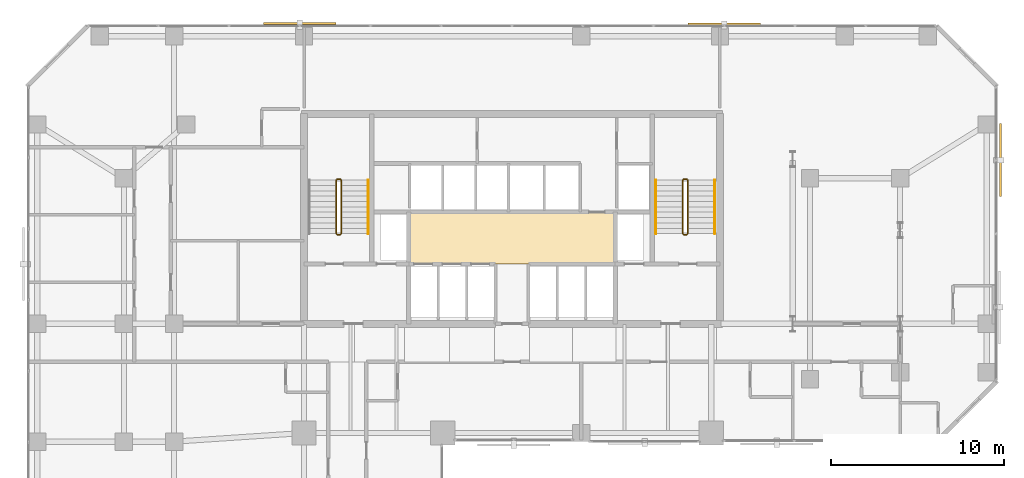
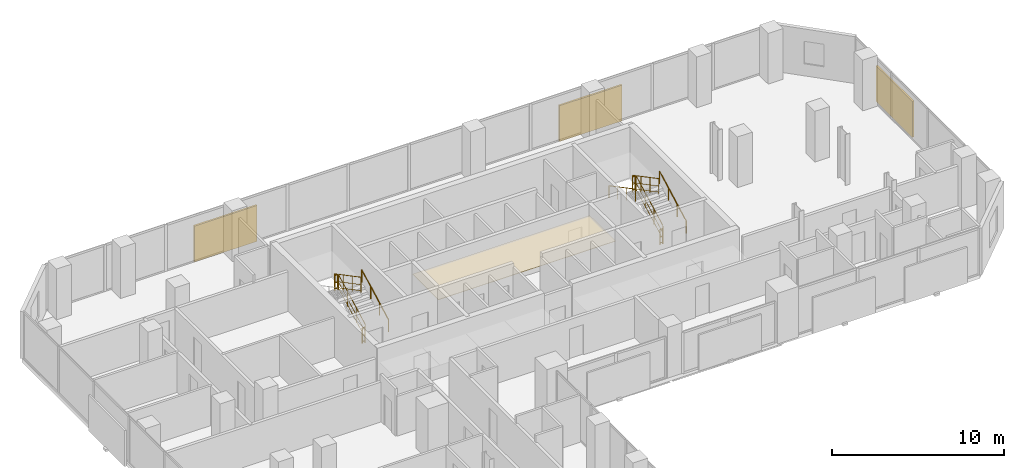
# One storey, part 31 of 31: 11 railings, 3 shading devices, 1 covering.
"""IFC4 building model written with IfcOpenShell, lengths in metres."""

from ifc_helpers import new_model, si_unit, direction, frame, origin, origin_2d, place, context, subcontext, project, spatial, polyline, rectangle, circle, outline, extrude, material, layer, layer_set, type_object, element, save


model = new_model("IFC4")

# Units and contexts
model_context = context("Model", 3, precision=1e-05, world=origin(), true_north=direction((0.0, 1.0)))
body_context = subcontext(model_context, "Body", "Model", "MODEL_VIEW")
ifc_project = project(units=[si_unit("LENGTHUNIT", "METRE"), si_unit("AREAUNIT", "SQUARE_METRE"), si_unit("VOLUMEUNIT", "CUBIC_METRE"), si_unit("PLANEANGLEUNIT", "RADIAN"), si_unit("MASSUNIT", "GRAM", prefix="KILO")], contexts=[model_context])

# Site, building, storey
site_placement = place(None, origin())
site = spatial("IfcSite", under=ifc_project, at=site_placement, CompositionType="ELEMENT")
building_placement = place(site_placement, origin())
building = spatial("IfcBuilding", under=site, at=building_placement, Name="Catumbela Crestline Tower", CompositionType="ELEMENT")
storey_placement = place(building_placement, frame((0.0, 0.0, 40.2)))
storey = spatial("IfcBuildingStorey", under=building, at=storey_placement, Name="L09", CompositionType="ELEMENT", Elevation=40.2)

# Covering
ifc_material_1 = material(Name="Mineral-fibre acoustic ceiling")
ifc_layer = layer(ifc_material_1, 0.03, Name="Mineral-fibre acoustic ceiling")
ifc_layer_set = layer_set([ifc_layer], Name="Mineral-fibre acoustic ceiling")
covering_type = type_object("IfcCoveringType", Name="CC-AC", PredefinedType="CEILING", material=ifc_layer_set)
covering_placement = place(storey_placement, frame((0.0, 0.0, 2.65)))
element("IfcCovering", 1, at=covering_placement, inside=storey, type_object=covering_type, Name="L09 Lift Lobby Acoustic Ceiling", PredefinedType="CEILING", context=body_context, shape_type="SweptSolid", body=[
    extrude(outline(polyline([(22.05, 34.25), (33.95, 34.25), (33.95, 37.25), (22.05, 37.25), (22.05, 34.25)])), origin(), (0.0, 0.0, 1.0), 0.03),
])

# Railings
ifc_material_2 = material(Name="Stainless steel EN 1.4401", Category="steel")
railing_type_1 = type_object("IfcRailingType", Name="RG-1100", PredefinedType="GUARDRAIL", material=ifc_material_2)
railing_1_placement = place(storey_placement, frame((18.14, 36.0, 0.1636)))
element("IfcRailing", 2, at=railing_1_placement, inside=storey, type_object=railing_type_1, Name="L09 ST-01 stair guard 1", PredefinedType="GUARDRAIL", context=body_context, shape_type="SweptSolid", body=[
    extrude(circle(Radius=0.024, at=origin_2d()), frame((0.0, 0.0, 1.076), z_axis=(0.0, 0.884350731049, 0.466823076222), x_axis=(-1.0, 0.0, 0.0)), (0.0, 0.0, 1.0), 3.5054),
    extrude(circle(Radius=0.0156, at=origin_2d()), frame((0.0, 0.0, 0.55), z_axis=(0.0, 0.884350731049, 0.466823076222), x_axis=(-1.0, 0.0, 0.0)), (0.0, 0.0, 1.0), 3.5054),
    extrude(circle(Radius=0.0156, at=origin_2d()), frame((0.0, 0.0, 0.12), z_axis=(0.0, 0.884350731049, 0.466823076222), x_axis=(-1.0, 0.0, 0.0)), (0.0, 0.0, 1.0), 3.5054),
    extrude(circle(Radius=0.021, at=origin_2d()), origin(), (0.0, 0.0, 1.0), 1.052),
    extrude(circle(Radius=0.021, at=origin_2d()), frame((0.0, 1.0333, 0.5455)), (0.0, 0.0, 1.0), 1.052),
    extrude(circle(Radius=0.021, at=origin_2d()), frame((0.0, 2.0667, 1.0909)), (0.0, 0.0, 1.0), 1.052),
    extrude(circle(Radius=0.021, at=origin_2d()), frame((0.0, 3.1, 1.6364)), (0.0, 0.0, 1.0), 1.052),
])
railing_2_placement = place(storey_placement, frame((18.09, 39.15, 1.8)))
element("IfcRailing", 3, at=railing_2_placement, inside=storey, type_object=railing_type_1, Name="L09 ST-01 stair guard 2", PredefinedType="GUARDRAIL", context=body_context, shape_type="SweptSolid", body=[
    extrude(circle(Radius=0.024, at=origin_2d()), frame((0.0, 0.0, 1.076), z_axis=(-1.0, 0.0, 0.0), x_axis=(0.0, -1.0, 0.0)), (0.0, 0.0, 1.0), 0.18),
    extrude(circle(Radius=0.0156, at=origin_2d()), frame((0.0, 0.0, 0.55), z_axis=(-1.0, 0.0, 0.0), x_axis=(0.0, -1.0, 0.0)), (0.0, 0.0, 1.0), 0.18),
    extrude(circle(Radius=0.0156, at=origin_2d()), frame((0.0, 0.0, 0.12), z_axis=(-1.0, 0.0, 0.0), x_axis=(0.0, -1.0, 0.0)), (0.0, 0.0, 1.0), 0.18),
    extrude(circle(Radius=0.021, at=origin_2d()), origin(), (0.0, 0.0, 1.0), 1.052),
    extrude(circle(Radius=0.021, at=origin_2d()), frame((-0.18, 0.0, 0.0)), (0.0, 0.0, 1.0), 1.052),
])
railing_3_placement = place(storey_placement, frame((17.86, 39.1, 1.9636)))
element("IfcRailing", 4, at=railing_3_placement, inside=storey, type_object=railing_type_1, Name="L09 ST-01 stair guard 3", PredefinedType="GUARDRAIL", context=body_context, shape_type="SweptSolid", body=[
    extrude(circle(Radius=0.024, at=origin_2d()), frame((0.0, 0.0, 1.076), z_axis=(0.0, -0.884350731049, 0.466823076222), x_axis=(1.0, 0.0, 0.0)), (0.0, 0.0, 1.0), 3.5054),
    extrude(circle(Radius=0.0156, at=origin_2d()), frame((0.0, 0.0, 0.55), z_axis=(0.0, -0.884350731049, 0.466823076222), x_axis=(1.0, 0.0, 0.0)), (0.0, 0.0, 1.0), 3.5054),
    extrude(circle(Radius=0.0156, at=origin_2d()), frame((0.0, 0.0, 0.12), z_axis=(0.0, -0.884350731049, 0.466823076222), x_axis=(1.0, 0.0, 0.0)), (0.0, 0.0, 1.0), 3.5054),
    extrude(circle(Radius=0.021, at=origin_2d()), origin(), (0.0, 0.0, 1.0), 1.052),
    extrude(circle(Radius=0.021, at=origin_2d()), frame((0.0, -1.0333, 0.5455)), (0.0, 0.0, 1.0), 1.052),
    extrude(circle(Radius=0.021, at=origin_2d()), frame((0.0, -2.0667, 1.0909)), (0.0, 0.0, 1.0), 1.052),
    extrude(circle(Radius=0.021, at=origin_2d()), frame((0.0, -3.1, 1.6364)), (0.0, 0.0, 1.0), 1.052),
])
railing_4_placement = place(storey_placement, frame((18.09, 35.95, 0.0)))
element("IfcRailing", 5, at=railing_4_placement, inside=storey, type_object=railing_type_1, Name="L09 ST-01 stair guard 4", PredefinedType="GUARDRAIL", context=body_context, shape_type="SweptSolid", body=[
    extrude(circle(Radius=0.024, at=origin_2d()), frame((0.0, 0.0, 1.076), z_axis=(-1.0, 0.0, 0.0), x_axis=(0.0, -1.0, 0.0)), (0.0, 0.0, 1.0), 0.18),
    extrude(circle(Radius=0.0156, at=origin_2d()), frame((0.0, 0.0, 0.55), z_axis=(-1.0, 0.0, 0.0), x_axis=(0.0, -1.0, 0.0)), (0.0, 0.0, 1.0), 0.18),
    extrude(circle(Radius=0.0156, at=origin_2d()), frame((0.0, 0.0, 0.12), z_axis=(-1.0, 0.0, 0.0), x_axis=(0.0, -1.0, 0.0)), (0.0, 0.0, 1.0), 0.18),
    extrude(circle(Radius=0.021, at=origin_2d()), origin(), (0.0, 0.0, 1.0), 1.052),
    extrude(circle(Radius=0.021, at=origin_2d()), frame((-0.18, 0.0, 0.0)), (0.0, 0.0, 1.0), 1.052),
])
railing_5_placement = place(storey_placement, frame((38.14, 36.0, 0.1636)))
element("IfcRailing", 6, at=railing_5_placement, inside=storey, type_object=railing_type_1, Name="L09 ST-02 stair guard 1", PredefinedType="GUARDRAIL", context=body_context, shape_type="SweptSolid", body=[
    extrude(circle(Radius=0.024, at=origin_2d()), frame((0.0, 0.0, 1.076), z_axis=(0.0, 0.884350731049, 0.466823076222), x_axis=(-1.0, 0.0, 0.0)), (0.0, 0.0, 1.0), 3.5054),
    extrude(circle(Radius=0.0156, at=origin_2d()), frame((0.0, 0.0, 0.55), z_axis=(0.0, 0.884350731049, 0.466823076222), x_axis=(-1.0, 0.0, 0.0)), (0.0, 0.0, 1.0), 3.5054),
    extrude(circle(Radius=0.0156, at=origin_2d()), frame((0.0, 0.0, 0.12), z_axis=(0.0, 0.884350731049, 0.466823076222), x_axis=(-1.0, 0.0, 0.0)), (0.0, 0.0, 1.0), 3.5054),
    extrude(circle(Radius=0.021, at=origin_2d()), origin(), (0.0, 0.0, 1.0), 1.052),
    extrude(circle(Radius=0.021, at=origin_2d()), frame((0.0, 1.0333, 0.5455)), (0.0, 0.0, 1.0), 1.052),
    extrude(circle(Radius=0.021, at=origin_2d()), frame((0.0, 2.0667, 1.0909)), (0.0, 0.0, 1.0), 1.052),
    extrude(circle(Radius=0.021, at=origin_2d()), frame((0.0, 3.1, 1.6364)), (0.0, 0.0, 1.0), 1.052),
])
railing_6_placement = place(storey_placement, frame((38.09, 39.15, 1.8)))
element("IfcRailing", 7, at=railing_6_placement, inside=storey, type_object=railing_type_1, Name="L09 ST-02 stair guard 2", PredefinedType="GUARDRAIL", context=body_context, shape_type="SweptSolid", body=[
    extrude(circle(Radius=0.024, at=origin_2d()), frame((0.0, 0.0, 1.076), z_axis=(-1.0, 0.0, 0.0), x_axis=(0.0, -1.0, 0.0)), (0.0, 0.0, 1.0), 0.18),
    extrude(circle(Radius=0.0156, at=origin_2d()), frame((0.0, 0.0, 0.55), z_axis=(-1.0, 0.0, 0.0), x_axis=(0.0, -1.0, 0.0)), (0.0, 0.0, 1.0), 0.18),
    extrude(circle(Radius=0.0156, at=origin_2d()), frame((0.0, 0.0, 0.12), z_axis=(-1.0, 0.0, 0.0), x_axis=(0.0, -1.0, 0.0)), (0.0, 0.0, 1.0), 0.18),
    extrude(circle(Radius=0.021, at=origin_2d()), origin(), (0.0, 0.0, 1.0), 1.052),
    extrude(circle(Radius=0.021, at=origin_2d()), frame((-0.18, 0.0, 0.0)), (0.0, 0.0, 1.0), 1.052),
])
railing_7_placement = place(storey_placement, frame((37.86, 39.1, 1.9636)))
element("IfcRailing", 8, at=railing_7_placement, inside=storey, type_object=railing_type_1, Name="L09 ST-02 stair guard 3", PredefinedType="GUARDRAIL", context=body_context, shape_type="SweptSolid", body=[
    extrude(circle(Radius=0.024, at=origin_2d()), frame((0.0, 0.0, 1.076), z_axis=(0.0, -0.884350731049, 0.466823076222), x_axis=(1.0, 0.0, 0.0)), (0.0, 0.0, 1.0), 3.5054),
    extrude(circle(Radius=0.0156, at=origin_2d()), frame((0.0, 0.0, 0.55), z_axis=(0.0, -0.884350731049, 0.466823076222), x_axis=(1.0, 0.0, 0.0)), (0.0, 0.0, 1.0), 3.5054),
    extrude(circle(Radius=0.0156, at=origin_2d()), frame((0.0, 0.0, 0.12), z_axis=(0.0, -0.884350731049, 0.466823076222), x_axis=(1.0, 0.0, 0.0)), (0.0, 0.0, 1.0), 3.5054),
    extrude(circle(Radius=0.021, at=origin_2d()), origin(), (0.0, 0.0, 1.0), 1.052),
    extrude(circle(Radius=0.021, at=origin_2d()), frame((0.0, -1.0333, 0.5455)), (0.0, 0.0, 1.0), 1.052),
    extrude(circle(Radius=0.021, at=origin_2d()), frame((0.0, -2.0667, 1.0909)), (0.0, 0.0, 1.0), 1.052),
    extrude(circle(Radius=0.021, at=origin_2d()), frame((0.0, -3.1, 1.6364)), (0.0, 0.0, 1.0), 1.052),
])
railing_8_placement = place(storey_placement, frame((38.09, 35.95, 0.0)))
element("IfcRailing", 9, at=railing_8_placement, inside=storey, type_object=railing_type_1, Name="L09 ST-02 stair guard 4", PredefinedType="GUARDRAIL", context=body_context, shape_type="SweptSolid", body=[
    extrude(circle(Radius=0.024, at=origin_2d()), frame((0.0, 0.0, 1.076), z_axis=(-1.0, 0.0, 0.0), x_axis=(0.0, -1.0, 0.0)), (0.0, 0.0, 1.0), 0.18),
    extrude(circle(Radius=0.0156, at=origin_2d()), frame((0.0, 0.0, 0.55), z_axis=(-1.0, 0.0, 0.0), x_axis=(0.0, -1.0, 0.0)), (0.0, 0.0, 1.0), 0.18),
    extrude(circle(Radius=0.0156, at=origin_2d()), frame((0.0, 0.0, 0.12), z_axis=(-1.0, 0.0, 0.0), x_axis=(0.0, -1.0, 0.0)), (0.0, 0.0, 1.0), 0.18),
    extrude(circle(Radius=0.021, at=origin_2d()), origin(), (0.0, 0.0, 1.0), 1.052),
    extrude(circle(Radius=0.021, at=origin_2d()), frame((-0.18, 0.0, 0.0)), (0.0, 0.0, 1.0), 1.052),
])
railing_type_2 = type_object("IfcRailingType", Name="RH-0900", PredefinedType="HANDRAIL", material=ifc_material_2)
for number, where, name in (
    (10, (19.7, 36.0, 0.1636), "L09 ST-01 stair handrail 1"),
    (11, (39.7, 36.0, 0.1636), "L09 ST-02 stair handrail 1"),
):
    element("IfcRailing", number, at=place(storey_placement, frame(where)), inside=storey, type_object=railing_type_2, Name=name, PredefinedType="HANDRAIL", context=body_context, shape_type="SweptSolid", body=[
        extrude(circle(Radius=0.024, at=origin_2d()), frame((0.0, 0.0, 0.876), z_axis=(0.0, 0.884350731049, 0.466823076222), x_axis=(-1.0, 0.0, 0.0)), (0.0, 0.0, 1.0), 3.5054),
        extrude(circle(Radius=0.021, at=origin_2d()), origin(), (0.0, 0.0, 1.0), 0.852),
        extrude(circle(Radius=0.021, at=origin_2d()), frame((0.0, 1.0333, 0.5455)), (0.0, 0.0, 1.0), 0.852),
        extrude(circle(Radius=0.021, at=origin_2d()), frame((0.0, 2.0667, 1.0909)), (0.0, 0.0, 1.0), 0.852),
        extrude(circle(Radius=0.021, at=origin_2d()), frame((0.0, 3.1, 1.6364)), (0.0, 0.0, 1.0), 0.852),
    ])
railing_9_placement = place(storey_placement, frame((36.3, 39.1, 1.9636)))
element("IfcRailing", 12, at=railing_9_placement, inside=storey, type_object=railing_type_2, Name="L09 ST-02 stair handrail 2", PredefinedType="HANDRAIL", context=body_context, shape_type="SweptSolid", body=[
    extrude(circle(Radius=0.024, at=origin_2d()), frame((0.0, 0.0, 0.876), z_axis=(0.0, -0.884350731049, 0.466823076222), x_axis=(1.0, 0.0, 0.0)), (0.0, 0.0, 1.0), 3.5054),
    extrude(circle(Radius=0.021, at=origin_2d()), origin(), (0.0, 0.0, 1.0), 0.852),
    extrude(circle(Radius=0.021, at=origin_2d()), frame((0.0, -1.0333, 0.5455)), (0.0, 0.0, 1.0), 0.852),
    extrude(circle(Radius=0.021, at=origin_2d()), frame((0.0, -2.0667, 1.0909)), (0.0, 0.0, 1.0), 0.852),
    extrude(circle(Radius=0.021, at=origin_2d()), frame((0.0, -3.1, 1.6364)), (0.0, 0.0, 1.0), 0.852),
])

# Shading devices
ifc_material_3 = material(Name="Extruded terracotta ceramic", Category="masonry")
shading_device_type_1 = type_object("IfcShadingDeviceType", Name="ST-180", PredefinedType="USERDEFINED", material=ifc_material_3)
shading_device_1_placement = place(storey_placement, frame((40.25, 48.099, -0.1), z_axis=(0.0, 0.0, 1.0), x_axis=(-1.0, 0.0, 0.0)))
element("IfcShadingDevice", 13, at=shading_device_1_placement, inside=storey, type_object=shading_device_type_1, Name="L09 Perforated Terracotta Solar Screen 67 (180 mm)", ObjectType="SCREEN", PredefinedType="USERDEFINED", context=body_context, shape_type="SweptSolid", body=[
    extrude(rectangle(XDim=4.2, YDim=0.12, at=origin_2d()), origin(), (0.0, 0.0, 1.0), 2.55),
])
shading_device_type_2 = type_object("IfcShadingDeviceType", Name="ST-260", PredefinedType="USERDEFINED", material=ifc_material_3)
shading_device_2_placement = place(storey_placement, frame((15.75, 48.143, -0.1), z_axis=(0.0, 0.0, 1.0), x_axis=(-1.0, 0.0, 0.0)))
element("IfcShadingDevice", 14, at=shading_device_2_placement, inside=storey, type_object=shading_device_type_2, Name="L09 Perforated Terracotta Solar Screen 68 (260 mm)", ObjectType="SCREEN", PredefinedType="USERDEFINED", context=body_context, shape_type="SweptSolid", body=[
    extrude(rectangle(XDim=4.2, YDim=0.12, at=origin_2d()), origin(), (0.0, 0.0, 1.0), 2.55),
])
shading_device_type_3 = type_object("IfcShadingDeviceType", Name="ST-340", PredefinedType="USERDEFINED", material=ifc_material_3)
shading_device_3_placement = place(storey_placement, frame((56.187, 40.25, -0.1), z_axis=(0.0, 0.0, 1.0), x_axis=(0.0, 1.0, 0.0)))
element("IfcShadingDevice", 15, at=shading_device_3_placement, inside=storey, type_object=shading_device_type_3, Name="L09 Perforated Terracotta Solar Screen 66 (340 mm)", ObjectType="SCREEN", PredefinedType="USERDEFINED", context=body_context, shape_type="SweptSolid", body=[
    extrude(rectangle(XDim=4.2, YDim=0.12, at=origin_2d()), origin(), (0.0, 0.0, 1.0), 2.55),
])

save(model, "model.ifc")
